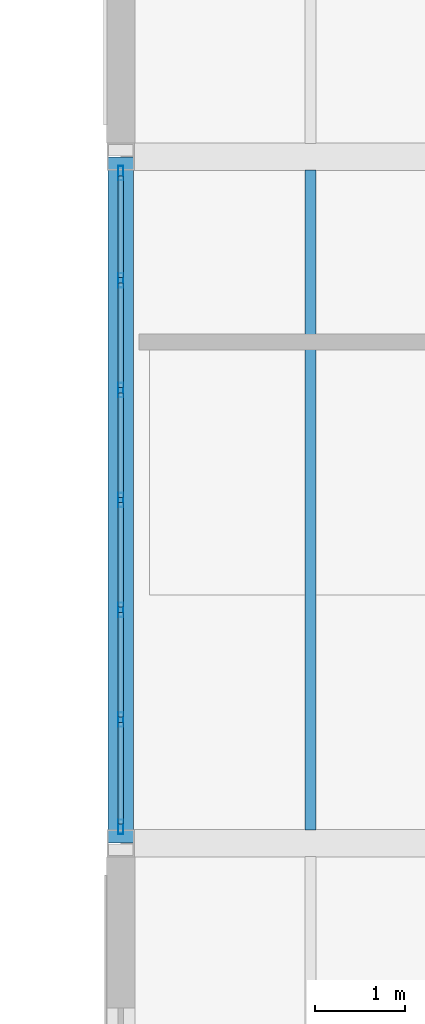
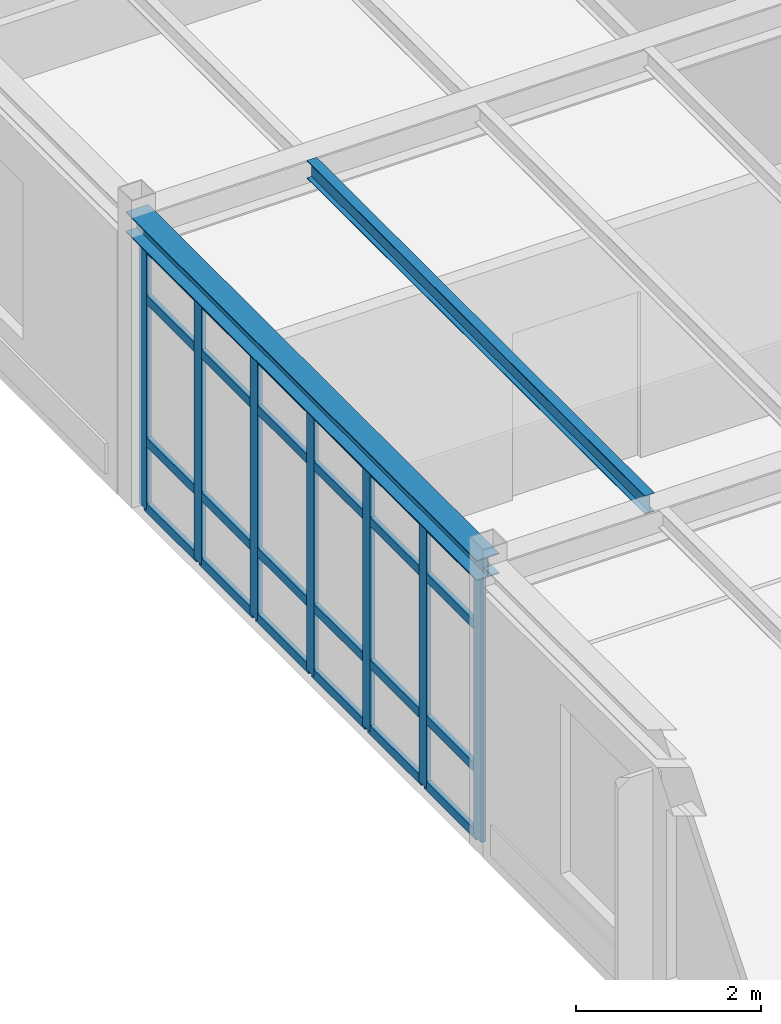
# One storey, part 79 of 165: 31 members, 2 beams, 1 element without a shape of its own.
"""IFC4 building model written with IfcOpenShell, lengths in metres."""

from ifc_helpers import new_model, si_unit, direction, frame, origin, origin_2d, place, context, subcontext, project, spatial, hollow_rectangle, i_section, extrude, material, layer, layer_set, material_profile, profile_set, type_object, element, aggregate, save


model = new_model("IFC4")

# Units and contexts
model_context = context("Model", 3, precision=1e-05, world=origin(), true_north=direction((0.0, 1.0)))
body_context = subcontext(model_context, "Body", "Model", "MODEL_VIEW")
ifc_project = project(units=[si_unit("LENGTHUNIT", "METRE"), si_unit("AREAUNIT", "SQUARE_METRE"), si_unit("VOLUMEUNIT", "CUBIC_METRE"), si_unit("PLANEANGLEUNIT", "RADIAN"), si_unit("MASSUNIT", "GRAM", prefix="KILO")], contexts=[model_context])

# Site, building, storey
site_placement = place(None, origin())
site = spatial("IfcSite", under=ifc_project, at=site_placement, CompositionType="ELEMENT")
building_placement = place(site_placement, origin())
building = spatial("IfcBuilding", under=site, at=building_placement, Name="Montecoro Central Library", CompositionType="ELEMENT")
storey_placement = place(building_placement, frame((0.0, 0.0, 5.10009765625)))
storey = spatial("IfcBuildingStorey", under=building, at=storey_placement, Name="L01", CompositionType="ELEMENT", Elevation=5.10009765625)

# Beams
ifc_material_1 = material(Name="Steel S355", Category="steel")
ifc_material_profile_1 = material_profile(ifc_material_1, i_section(OverallWidth=0.1201171875, OverallDepth=0.239990234375, WebThickness=0.006103515625, FlangeThickness=0.009765625, at=origin_2d()), Name="IPE 240")
ifc_profile_set_1 = profile_set([ifc_material_profile_1], Name="Steel S355")
beam_type_1 = type_object("IfcBeamType", Name="BM-J-IPE240", PredefinedType="JOIST", material=ifc_profile_set_1)
beam_1_placement = place(storey_placement, frame((68.5, 103.947021484375, 3.704833984375), z_axis=(0.0, 1.0, 0.0), x_axis=(-1.0, 0.0, 0.0)))
element("IfcBeam", 1, at=beam_1_placement, inside=storey, type_object=beam_type_1, Name="V2-L01-JS-910-PQ-1", PredefinedType="JOIST", context=body_context, shape_type="SweptSolid", body=[
    extrude(i_section(OverallWidth=0.1201171875, OverallDepth=0.239990234375, WebThickness=0.006103515625, FlangeThickness=0.009765625, at=origin_2d()), origin(), (0.0, 0.0, 1.0), 7.305908203125),
])
ifc_material_profile_2 = material_profile(ifc_material_1, i_section(OverallWidth=0.280029296875, OverallDepth=0.27001953125, WebThickness=0.008056640625, FlangeThickness=0.012939453125, at=origin_2d()), Name="HEA 280")
ifc_profile_set_2 = profile_set([ifc_material_profile_2], Name="Steel S355")
beam_type_2 = type_object("IfcBeamType", Name="BM-SP-HEA280", PredefinedType="SPANDREL", material=ifc_profile_set_2)
beam_2_placement = place(storey_placement, frame((66.39990234375, 103.804931640625, 3.68994140625), z_axis=(0.0, 1.0, 0.0), x_axis=(-1.0, 0.0, 0.0)))
element("IfcBeam", 2, at=beam_2_placement, inside=storey, type_object=beam_type_2, Name="V2-L01-BY-9-PQ", PredefinedType="SPANDREL", context=body_context, shape_type="SweptSolid", body=[
    extrude(i_section(OverallWidth=0.280029296875, OverallDepth=0.27001953125, WebThickness=0.008056640625, FlangeThickness=0.012939453125, at=origin_2d()), origin(), (0.0, 0.0, 1.0), 7.590087890625),
])

# Curtain wall, members
ifc_material_2 = material(Name="Bronze-anodised aluminium and low-E glazing", Category="aluminium")
ifc_layer = layer(ifc_material_2, 0.159912109375)
ifc_layer_set = layer_set([ifc_layer], Name="Bronze-anodised aluminium and low-E glazing")
curtain_wall_type = type_object("IfcCurtainWallType", Name="CWT-013", PredefinedType="NOTDEFINED", material=ifc_layer_set)
curtain_wall_placement = place(storey_placement, origin())
curtain_wall = element("IfcCurtainWall", 3, at=curtain_wall_placement, inside=storey, type_object=curtain_wall_type, Name="V2-L01-CW-W3", PredefinedType="NOTDEFINED")
ifc_material_3 = material(Name="Bronze-anodised aluminium", Category="aluminium")
ifc_material_profile_3 = material_profile(ifc_material_3, hollow_rectangle(XDim=0.06005859375, YDim=0.159912109375, WallThickness=0.00390625, at=origin_2d()), Name="CWM 160x60x4.0")
ifc_profile_set_3 = profile_set([ifc_material_profile_3], Name="Bronze-anodised aluminium")
member_type_1 = type_object("IfcMemberType", Name="CWM-BRZ-60", PredefinedType="MULLION", material=ifc_profile_set_3)
member_1_placement = place(storey_placement, frame((66.39990234375, 111.217041015625, 0.0), z_axis=(0.0, 0.0, 1.0), x_axis=(1.0, 0.0, 0.0)))
member_1 = element("IfcMember", 4, at=member_1_placement, type_object=member_type_1, Name="CW-013 mullion 1", PredefinedType="MULLION", context=body_context, shape_type="SweptSolid", body=[
    extrude(hollow_rectangle(XDim=0.06005859375, YDim=0.159912109375, WallThickness=0.00390625, at=origin_2d()), origin(), (0.0, 0.0, 1.0), 3.47998046875),
])
member_2_placement = place(storey_placement, frame((66.39990234375, 110.03125, 0.0), z_axis=(0.0, 0.0, 1.0), x_axis=(1.0, 0.0, 0.0)))
member_2 = element("IfcMember", 5, at=member_2_placement, type_object=member_type_1, Name="CW-013 mullion 2", PredefinedType="MULLION", context=body_context, shape_type="SweptSolid", body=[
    extrude(hollow_rectangle(XDim=0.06005859375, YDim=0.159912109375, WallThickness=0.00390625, at=origin_2d()), origin(), (0.0, 0.0, 1.0), 3.47998046875),
])
member_3_placement = place(storey_placement, frame((66.39990234375, 108.815673828125, 0.0), z_axis=(0.0, 0.0, 1.0), x_axis=(1.0, 0.0, 0.0)))
member_3 = element("IfcMember", 6, at=member_3_placement, type_object=member_type_1, Name="CW-013 mullion 3", PredefinedType="MULLION", context=body_context, shape_type="SweptSolid", body=[
    extrude(hollow_rectangle(XDim=0.06005859375, YDim=0.159912109375, WallThickness=0.00390625, at=origin_2d()), origin(), (0.0, 0.0, 1.0), 3.47998046875),
])
member_4_placement = place(storey_placement, frame((66.39990234375, 107.60009765625, 0.0), z_axis=(0.0, 0.0, 1.0), x_axis=(1.0, 0.0, 0.0)))
member_4 = element("IfcMember", 7, at=member_4_placement, type_object=member_type_1, Name="CW-013 mullion 4", PredefinedType="MULLION", context=body_context, shape_type="SweptSolid", body=[
    extrude(hollow_rectangle(XDim=0.06005859375, YDim=0.159912109375, WallThickness=0.00390625, at=origin_2d()), origin(), (0.0, 0.0, 1.0), 3.47998046875),
])
member_5_placement = place(storey_placement, frame((66.39990234375, 106.38427734375, 0.0), z_axis=(0.0, 0.0, 1.0), x_axis=(1.0, 0.0, 0.0)))
member_5 = element("IfcMember", 8, at=member_5_placement, type_object=member_type_1, Name="CW-013 mullion 5", PredefinedType="MULLION", context=body_context, shape_type="SweptSolid", body=[
    extrude(hollow_rectangle(XDim=0.06005859375, YDim=0.159912109375, WallThickness=0.00390625, at=origin_2d()), origin(), (0.0, 0.0, 1.0), 3.47998046875),
])
member_6_placement = place(storey_placement, frame((66.39990234375, 105.168701171875, 0.0), z_axis=(0.0, 0.0, 1.0), x_axis=(1.0, 0.0, 0.0)))
member_6 = element("IfcMember", 9, at=member_6_placement, type_object=member_type_1, Name="CW-013 mullion 6", PredefinedType="MULLION", context=body_context, shape_type="SweptSolid", body=[
    extrude(hollow_rectangle(XDim=0.06005859375, YDim=0.159912109375, WallThickness=0.00390625, at=origin_2d()), origin(), (0.0, 0.0, 1.0), 3.47998046875),
])
member_7_placement = place(storey_placement, frame((66.39990234375, 103.98291015625, 0.0), z_axis=(0.0, 0.0, 1.0), x_axis=(1.0, 0.0, 0.0)))
member_7 = element("IfcMember", 10, at=member_7_placement, type_object=member_type_1, Name="CW-013 mullion 7", PredefinedType="MULLION", context=body_context, shape_type="SweptSolid", body=[
    extrude(hollow_rectangle(XDim=0.06005859375, YDim=0.159912109375, WallThickness=0.00390625, at=origin_2d()), origin(), (0.0, 0.0, 1.0), 3.47998046875),
])
ifc_material_profile_4 = material_profile(ifc_material_3, hollow_rectangle(XDim=0.06005859375, YDim=0.1201171875, WallThickness=0.00390625, at=origin_2d()), Name="CWT 120x60x4.0")
ifc_profile_set_4 = profile_set([ifc_material_profile_4], Name="Bronze-anodised aluminium")
member_type_2 = type_object("IfcMemberType", Name="CWT-BRZ-60", PredefinedType="USERDEFINED", material=ifc_profile_set_4)
member_8_placement = place(storey_placement, frame((66.39990234375, 111.18701171875, 0.02978515625), z_axis=(0.0, -1.0, 0.0), x_axis=(1.0, 0.0, 0.0)))
member_8 = element("IfcMember", 11, at=member_8_placement, type_object=member_type_2, Name="CW-013 transom 1.1", ObjectType="TRANSOM", PredefinedType="USERDEFINED", context=body_context, shape_type="SweptSolid", body=[
    extrude(hollow_rectangle(XDim=0.06005859375, YDim=0.1201171875, WallThickness=0.00390625, at=origin_2d()), origin(), (0.0, 0.0, 1.0), 1.125732421875),
])
member_9_placement = place(storey_placement, frame((66.39990234375, 111.18701171875, 0.89990234375), z_axis=(0.0, -1.0, 0.0), x_axis=(1.0, 0.0, 0.0)))
member_9 = element("IfcMember", 12, at=member_9_placement, type_object=member_type_2, Name="CW-013 transom 1.2", ObjectType="TRANSOM", PredefinedType="USERDEFINED", context=body_context, shape_type="SweptSolid", body=[
    extrude(hollow_rectangle(XDim=0.06005859375, YDim=0.1201171875, WallThickness=0.00390625, at=origin_2d()), origin(), (0.0, 0.0, 1.0), 1.125732421875),
])
member_10_placement = place(storey_placement, frame((66.39990234375, 111.18701171875, 2.77978515625), z_axis=(0.0, -1.0, 0.0), x_axis=(1.0, 0.0, 0.0)))
member_10 = element("IfcMember", 13, at=member_10_placement, type_object=member_type_2, Name="CW-013 transom 1.3", ObjectType="TRANSOM", PredefinedType="USERDEFINED", context=body_context, shape_type="SweptSolid", body=[
    extrude(hollow_rectangle(XDim=0.06005859375, YDim=0.1201171875, WallThickness=0.00390625, at=origin_2d()), origin(), (0.0, 0.0, 1.0), 1.125732421875),
])
member_11_placement = place(storey_placement, frame((66.39990234375, 111.18701171875, 3.449951171875), z_axis=(0.0, -1.0, 0.0), x_axis=(1.0, 0.0, 0.0)))
member_11 = element("IfcMember", 14, at=member_11_placement, type_object=member_type_2, Name="CW-013 transom 1.4", ObjectType="TRANSOM", PredefinedType="USERDEFINED", context=body_context, shape_type="SweptSolid", body=[
    extrude(hollow_rectangle(XDim=0.06005859375, YDim=0.1201171875, WallThickness=0.00390625, at=origin_2d()), origin(), (0.0, 0.0, 1.0), 1.125732421875),
])
member_12_placement = place(storey_placement, frame((66.39990234375, 110.001220703125, 0.02978515625), z_axis=(0.0, -1.0, 0.0), x_axis=(1.0, 0.0, 0.0)))
member_12 = element("IfcMember", 15, at=member_12_placement, type_object=member_type_2, Name="CW-013 transom 2.1", ObjectType="TRANSOM", PredefinedType="USERDEFINED", context=body_context, shape_type="SweptSolid", body=[
    extrude(hollow_rectangle(XDim=0.06005859375, YDim=0.1201171875, WallThickness=0.00390625, at=origin_2d()), origin(), (0.0, 0.0, 1.0), 1.155517578125),
])
member_13_placement = place(storey_placement, frame((66.39990234375, 110.001220703125, 0.89990234375), z_axis=(0.0, -1.0, 0.0), x_axis=(1.0, 0.0, 0.0)))
member_13 = element("IfcMember", 16, at=member_13_placement, type_object=member_type_2, Name="CW-013 transom 2.2", ObjectType="TRANSOM", PredefinedType="USERDEFINED", context=body_context, shape_type="SweptSolid", body=[
    extrude(hollow_rectangle(XDim=0.06005859375, YDim=0.1201171875, WallThickness=0.00390625, at=origin_2d()), origin(), (0.0, 0.0, 1.0), 1.155517578125),
])
member_14_placement = place(storey_placement, frame((66.39990234375, 110.001220703125, 2.77978515625), z_axis=(0.0, -1.0, 0.0), x_axis=(1.0, 0.0, 0.0)))
member_14 = element("IfcMember", 17, at=member_14_placement, type_object=member_type_2, Name="CW-013 transom 2.3", ObjectType="TRANSOM", PredefinedType="USERDEFINED", context=body_context, shape_type="SweptSolid", body=[
    extrude(hollow_rectangle(XDim=0.06005859375, YDim=0.1201171875, WallThickness=0.00390625, at=origin_2d()), origin(), (0.0, 0.0, 1.0), 1.155517578125),
])
member_15_placement = place(storey_placement, frame((66.39990234375, 110.001220703125, 3.449951171875), z_axis=(0.0, -1.0, 0.0), x_axis=(1.0, 0.0, 0.0)))
member_15 = element("IfcMember", 18, at=member_15_placement, type_object=member_type_2, Name="CW-013 transom 2.4", ObjectType="TRANSOM", PredefinedType="USERDEFINED", context=body_context, shape_type="SweptSolid", body=[
    extrude(hollow_rectangle(XDim=0.06005859375, YDim=0.1201171875, WallThickness=0.00390625, at=origin_2d()), origin(), (0.0, 0.0, 1.0), 1.155517578125),
])
member_16_placement = place(storey_placement, frame((66.39990234375, 108.78564453125, 0.02978515625), z_axis=(0.0, -1.0, 0.0), x_axis=(1.0, 0.0, 0.0)))
member_16 = element("IfcMember", 19, at=member_16_placement, type_object=member_type_2, Name="CW-013 transom 3.1", ObjectType="TRANSOM", PredefinedType="USERDEFINED", context=body_context, shape_type="SweptSolid", body=[
    extrude(hollow_rectangle(XDim=0.06005859375, YDim=0.1201171875, WallThickness=0.00390625, at=origin_2d()), origin(), (0.0, 0.0, 1.0), 1.15576171875),
])
member_17_placement = place(storey_placement, frame((66.39990234375, 108.78564453125, 0.89990234375), z_axis=(0.0, -1.0, 0.0), x_axis=(1.0, 0.0, 0.0)))
member_17 = element("IfcMember", 20, at=member_17_placement, type_object=member_type_2, Name="CW-013 transom 3.2", ObjectType="TRANSOM", PredefinedType="USERDEFINED", context=body_context, shape_type="SweptSolid", body=[
    extrude(hollow_rectangle(XDim=0.06005859375, YDim=0.1201171875, WallThickness=0.00390625, at=origin_2d()), origin(), (0.0, 0.0, 1.0), 1.15576171875),
])
member_18_placement = place(storey_placement, frame((66.39990234375, 108.78564453125, 2.77978515625), z_axis=(0.0, -1.0, 0.0), x_axis=(1.0, 0.0, 0.0)))
member_18 = element("IfcMember", 21, at=member_18_placement, type_object=member_type_2, Name="CW-013 transom 3.3", ObjectType="TRANSOM", PredefinedType="USERDEFINED", context=body_context, shape_type="SweptSolid", body=[
    extrude(hollow_rectangle(XDim=0.06005859375, YDim=0.1201171875, WallThickness=0.00390625, at=origin_2d()), origin(), (0.0, 0.0, 1.0), 1.15576171875),
])
member_19_placement = place(storey_placement, frame((66.39990234375, 108.78564453125, 3.449951171875), z_axis=(0.0, -1.0, 0.0), x_axis=(1.0, 0.0, 0.0)))
member_19 = element("IfcMember", 22, at=member_19_placement, type_object=member_type_2, Name="CW-013 transom 3.4", ObjectType="TRANSOM", PredefinedType="USERDEFINED", context=body_context, shape_type="SweptSolid", body=[
    extrude(hollow_rectangle(XDim=0.06005859375, YDim=0.1201171875, WallThickness=0.00390625, at=origin_2d()), origin(), (0.0, 0.0, 1.0), 1.15576171875),
])
member_20_placement = place(storey_placement, frame((66.39990234375, 107.570068359375, 0.02978515625), z_axis=(0.0, -1.0, 0.0), x_axis=(1.0, 0.0, 0.0)))
member_20 = element("IfcMember", 23, at=member_20_placement, type_object=member_type_2, Name="CW-013 transom 4.1", ObjectType="TRANSOM", PredefinedType="USERDEFINED", context=body_context, shape_type="SweptSolid", body=[
    extrude(hollow_rectangle(XDim=0.06005859375, YDim=0.1201171875, WallThickness=0.00390625, at=origin_2d()), origin(), (0.0, 0.0, 1.0), 1.15576171875),
])
member_21_placement = place(storey_placement, frame((66.39990234375, 107.570068359375, 0.89990234375), z_axis=(0.0, -1.0, 0.0), x_axis=(1.0, 0.0, 0.0)))
member_21 = element("IfcMember", 24, at=member_21_placement, type_object=member_type_2, Name="CW-013 transom 4.2", ObjectType="TRANSOM", PredefinedType="USERDEFINED", context=body_context, shape_type="SweptSolid", body=[
    extrude(hollow_rectangle(XDim=0.06005859375, YDim=0.1201171875, WallThickness=0.00390625, at=origin_2d()), origin(), (0.0, 0.0, 1.0), 1.15576171875),
])
member_22_placement = place(storey_placement, frame((66.39990234375, 107.570068359375, 2.77978515625), z_axis=(0.0, -1.0, 0.0), x_axis=(1.0, 0.0, 0.0)))
member_22 = element("IfcMember", 25, at=member_22_placement, type_object=member_type_2, Name="CW-013 transom 4.3", ObjectType="TRANSOM", PredefinedType="USERDEFINED", context=body_context, shape_type="SweptSolid", body=[
    extrude(hollow_rectangle(XDim=0.06005859375, YDim=0.1201171875, WallThickness=0.00390625, at=origin_2d()), origin(), (0.0, 0.0, 1.0), 1.15576171875),
])
member_23_placement = place(storey_placement, frame((66.39990234375, 107.570068359375, 3.449951171875), z_axis=(0.0, -1.0, 0.0), x_axis=(1.0, 0.0, 0.0)))
member_23 = element("IfcMember", 26, at=member_23_placement, type_object=member_type_2, Name="CW-013 transom 4.4", ObjectType="TRANSOM", PredefinedType="USERDEFINED", context=body_context, shape_type="SweptSolid", body=[
    extrude(hollow_rectangle(XDim=0.06005859375, YDim=0.1201171875, WallThickness=0.00390625, at=origin_2d()), origin(), (0.0, 0.0, 1.0), 1.15576171875),
])
member_24_placement = place(storey_placement, frame((66.39990234375, 106.354248046875, 0.02978515625), z_axis=(0.0, -1.0, 0.0), x_axis=(1.0, 0.0, 0.0)))
member_24 = element("IfcMember", 27, at=member_24_placement, type_object=member_type_2, Name="CW-013 transom 5.1", ObjectType="TRANSOM", PredefinedType="USERDEFINED", context=body_context, shape_type="SweptSolid", body=[
    extrude(hollow_rectangle(XDim=0.06005859375, YDim=0.1201171875, WallThickness=0.00390625, at=origin_2d()), origin(), (0.0, 0.0, 1.0), 1.155517578125),
])
member_25_placement = place(storey_placement, frame((66.39990234375, 106.354248046875, 0.89990234375), z_axis=(0.0, -1.0, 0.0), x_axis=(1.0, 0.0, 0.0)))
member_25 = element("IfcMember", 28, at=member_25_placement, type_object=member_type_2, Name="CW-013 transom 5.2", ObjectType="TRANSOM", PredefinedType="USERDEFINED", context=body_context, shape_type="SweptSolid", body=[
    extrude(hollow_rectangle(XDim=0.06005859375, YDim=0.1201171875, WallThickness=0.00390625, at=origin_2d()), origin(), (0.0, 0.0, 1.0), 1.155517578125),
])
member_26_placement = place(storey_placement, frame((66.39990234375, 106.354248046875, 2.77978515625), z_axis=(0.0, -1.0, 0.0), x_axis=(1.0, 0.0, 0.0)))
member_26 = element("IfcMember", 29, at=member_26_placement, type_object=member_type_2, Name="CW-013 transom 5.3", ObjectType="TRANSOM", PredefinedType="USERDEFINED", context=body_context, shape_type="SweptSolid", body=[
    extrude(hollow_rectangle(XDim=0.06005859375, YDim=0.1201171875, WallThickness=0.00390625, at=origin_2d()), origin(), (0.0, 0.0, 1.0), 1.155517578125),
])
member_27_placement = place(storey_placement, frame((66.39990234375, 106.354248046875, 3.449951171875), z_axis=(0.0, -1.0, 0.0), x_axis=(1.0, 0.0, 0.0)))
member_27 = element("IfcMember", 30, at=member_27_placement, type_object=member_type_2, Name="CW-013 transom 5.4", ObjectType="TRANSOM", PredefinedType="USERDEFINED", context=body_context, shape_type="SweptSolid", body=[
    extrude(hollow_rectangle(XDim=0.06005859375, YDim=0.1201171875, WallThickness=0.00390625, at=origin_2d()), origin(), (0.0, 0.0, 1.0), 1.155517578125),
])
member_28_placement = place(storey_placement, frame((66.39990234375, 105.138671875, 0.02978515625), z_axis=(0.0, -1.0, 0.0), x_axis=(1.0, 0.0, 0.0)))
member_28 = element("IfcMember", 31, at=member_28_placement, type_object=member_type_2, Name="CW-013 transom 6.1", ObjectType="TRANSOM", PredefinedType="USERDEFINED", context=body_context, shape_type="SweptSolid", body=[
    extrude(hollow_rectangle(XDim=0.06005859375, YDim=0.1201171875, WallThickness=0.00390625, at=origin_2d()), origin(), (0.0, 0.0, 1.0), 1.125732421875),
])
member_29_placement = place(storey_placement, frame((66.39990234375, 105.138671875, 0.89990234375), z_axis=(0.0, -1.0, 0.0), x_axis=(1.0, 0.0, 0.0)))
member_29 = element("IfcMember", 32, at=member_29_placement, type_object=member_type_2, Name="CW-013 transom 6.2", ObjectType="TRANSOM", PredefinedType="USERDEFINED", context=body_context, shape_type="SweptSolid", body=[
    extrude(hollow_rectangle(XDim=0.06005859375, YDim=0.1201171875, WallThickness=0.00390625, at=origin_2d()), origin(), (0.0, 0.0, 1.0), 1.125732421875),
])
member_30_placement = place(storey_placement, frame((66.39990234375, 105.138671875, 2.77978515625), z_axis=(0.0, -1.0, 0.0), x_axis=(1.0, 0.0, 0.0)))
member_30 = element("IfcMember", 33, at=member_30_placement, type_object=member_type_2, Name="CW-013 transom 6.3", ObjectType="TRANSOM", PredefinedType="USERDEFINED", context=body_context, shape_type="SweptSolid", body=[
    extrude(hollow_rectangle(XDim=0.06005859375, YDim=0.1201171875, WallThickness=0.00390625, at=origin_2d()), origin(), (0.0, 0.0, 1.0), 1.125732421875),
])
member_31_placement = place(storey_placement, frame((66.39990234375, 105.138671875, 3.449951171875), z_axis=(0.0, -1.0, 0.0), x_axis=(1.0, 0.0, 0.0)))
member_31 = element("IfcMember", 34, at=member_31_placement, type_object=member_type_2, Name="CW-013 transom 6.4", ObjectType="TRANSOM", PredefinedType="USERDEFINED", context=body_context, shape_type="SweptSolid", body=[
    extrude(hollow_rectangle(XDim=0.06005859375, YDim=0.1201171875, WallThickness=0.00390625, at=origin_2d()), origin(), (0.0, 0.0, 1.0), 1.125732421875),
])
aggregate(curtain_wall, [member_1, member_2, member_3, member_4, member_5, member_6, member_7, member_8, member_9, member_10, member_11, member_12, member_13, member_14, member_15, member_16, member_17, member_18, member_19, member_20, member_21, member_22, member_23, member_24, member_25, member_26, member_27, member_28, member_29, member_30, member_31])

save(model, "model.ifc")
